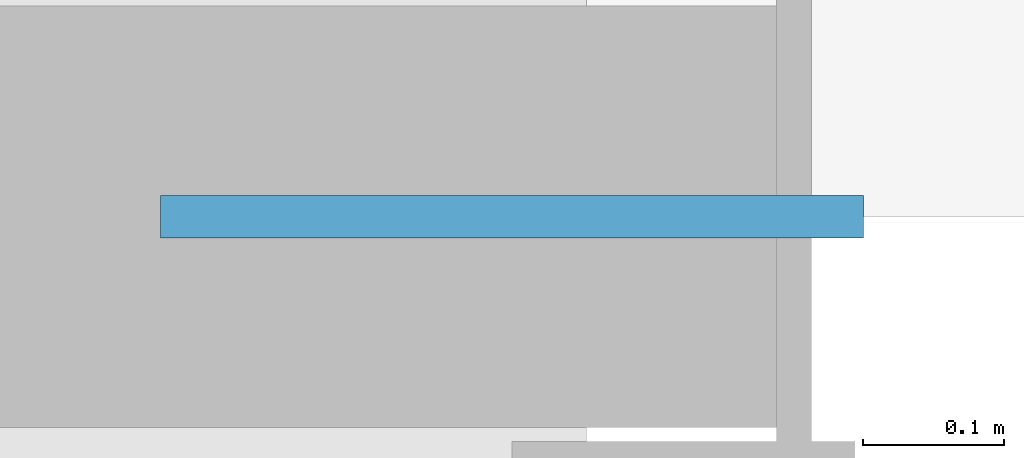
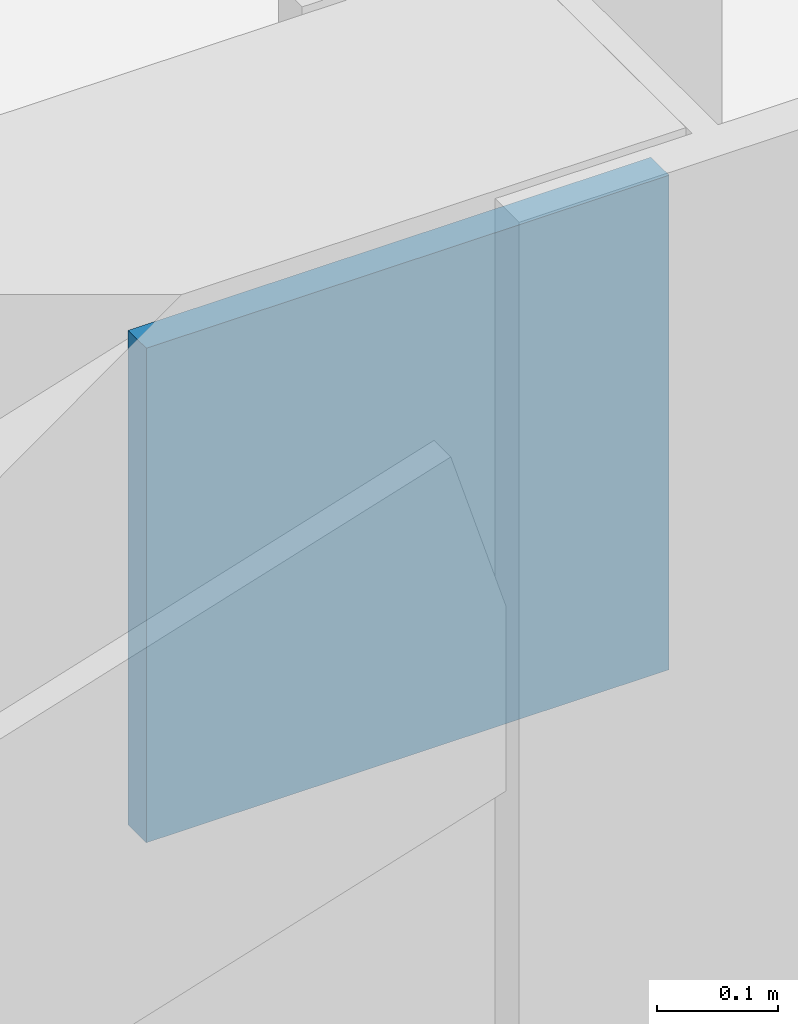
# One storey, part 21 of 30: 1 discrete accessory.
"""IFC4 building model written with IfcOpenShell, lengths in metres."""

import ifcopenshell
import ifcopenshell.guid

model = None  # the IFC model being written
_history = None  # IfcOwnerHistory: only IFC2X3 demands one
_inside = {}  # id of a spatial element -> (the spatial element, [elements in it])
_under = {}  # id of a project, library or spatial element -> (it, [spatial elements below it])
_declared = {}  # id of a project -> (the project, [libraries it declares])
_typed = {}  # id of a type object -> (the type object, [elements of that type])
_made_of = {}  # id of a material, layer set ... -> (it, [elements and type objects made of it])


def new_model(schema):
    """Start an empty IFC model of exactly this schema.

    Asked for "IFC4X3", IfcOpenShell would pick the latest addendum, in which some entities
    have other attributes; the version numbers below select the first issue.
    IFC2X3 requires an IfcOwnerHistory on every rooted entity: one is made here for all.
    """
    global model, _history
    if schema == "IFC4X3":
        model = ifcopenshell.file(schema_version=(4, 3, 0, 0))
    else:
        model = ifcopenshell.file(schema=schema)
    _inside.clear()
    _under.clear()
    _declared.clear()
    _typed.clear()
    _made_of.clear()
    _history = None
    if model.schema == "IFC2X3":
        org = make("IfcOrganization", Name="unknown")
        user = make(
            "IfcPersonAndOrganization",
            ThePerson=make("IfcPerson", FamilyName="unknown"),
            TheOrganization=org,
        )
        app = make(
            "IfcApplication",
            ApplicationDeveloper=org,
            Version="unknown",
            ApplicationFullName="unknown",
            ApplicationIdentifier="unknown",
        )
        _history = make(
            "IfcOwnerHistory",
            OwningUser=user,
            OwningApplication=app,
            ChangeAction="ADDED",
            CreationDate=0,
        )
    return model


def make(cls, **values):
    """One entity of the class cls with the attributes given. An attribute that is None is left unset."""
    return model.create_entity(
        cls, **{name: value for name, value in values.items() if value is not None}
    )


def rooted(cls, **values):
    """An entity with a GlobalId (a new one), such as an element, a storey or a relation."""
    return make(cls, GlobalId=ifcopenshell.guid.new(), OwnerHistory=_history, **values)


def si_unit(unit_type, name, prefix=None):
    """IfcSIUnit, for example si_unit("LENGTHUNIT", "METRE", prefix="MILLI")."""
    return make("IfcSIUnit", UnitType=unit_type, Prefix=prefix, Name=name)


def assignment(units):
    """IfcUnitAssignment: the units of a project."""
    return None if units is None else make("IfcUnitAssignment", Units=units)


def point(xyz):
    """IfcCartesianPoint."""
    return None if xyz is None else make("IfcCartesianPoint", Coordinates=xyz)


def direction(xyz):
    """IfcDirection."""
    return None if xyz is None else make("IfcDirection", DirectionRatios=xyz)


def frame(location, z_axis=None, x_axis=None):
    """IfcAxis2Placement3D, a coordinate frame: its origin and axes. An axis left out is left unset."""
    return make(
        "IfcAxis2Placement3D",
        Location=point(location),
        Axis=direction(z_axis),
        RefDirection=direction(x_axis),
    )


def frame_2d(location, x_axis=None):
    """IfcAxis2Placement2D, a coordinate frame in the plane: its origin and x axis."""
    return make(
        "IfcAxis2Placement2D", Location=point(location), RefDirection=direction(x_axis)
    )


def origin():
    """The frame at (0, 0, 0) with its axes left unset."""
    return frame((0.0, 0.0, 0.0))


def origin_2d():
    """The frame at (0, 0) in the plane with its x axis left unset."""
    return frame_2d((0.0, 0.0))


def place(relative_to, where):
    """IfcLocalPlacement: puts the frame where relative to a parent placement (None: the world)."""
    return make(
        "IfcLocalPlacement", PlacementRelTo=relative_to, RelativePlacement=where
    )


def context(
    kind, dimensions, precision=None, world=None, true_north=None, identifier=None
):
    """IfcGeometricRepresentationContext, for example the 3D "Model" context."""
    return make(
        "IfcGeometricRepresentationContext",
        ContextIdentifier=identifier,
        ContextType=kind,
        CoordinateSpaceDimension=dimensions,
        Precision=precision,
        WorldCoordinateSystem=world,
        TrueNorth=true_north,
    )


def subcontext(parent, identifier, kind, view, scale=None):
    """IfcGeometricRepresentationSubContext, for example "Body" below "Model"."""
    return make(
        "IfcGeometricRepresentationSubContext",
        ContextIdentifier=identifier,
        ContextType=kind,
        ParentContext=parent,
        TargetScale=scale,
        TargetView=view,
    )


def project(units=None, contexts=None):
    """IfcProject with its units and contexts."""
    return rooted(
        "IfcProject",
        Name="project",
        RepresentationContexts=contexts,
        UnitsInContext=assignment(units),
    )


def spatial(cls, under=None, at=None, **own):
    """A site, building, storey or space (cls), placed at a placement, below another one or the project."""
    s = rooted(cls, ObjectPlacement=at, **own)
    if under is not None:
        _under.setdefault(under.id(), (under, []))[1].append(s)
    return s


def profile(cls, at=None, kind="AREA", **sizes):
    """A parametric profile (cls). Its sizes go by their IFC names, for example OverallWidth=200.0."""
    return make(cls, ProfileType=kind, Position=at, **sizes)


def rectangle(**sizes):
    """IfcRectangleProfileDef."""
    return profile("IfcRectangleProfileDef", **sizes)


def extrude(swept, where, along, depth):
    """IfcExtrudedAreaSolid: the profile swept, set in the frame where, extruded along a direction by depth."""
    return make(
        "IfcExtrudedAreaSolid",
        SweptArea=swept,
        Position=where,
        ExtrudedDirection=direction(along),
        Depth=depth,
    )


def shape(context_of_items, identifier, shape_type, items):
    """IfcShapeRepresentation: the items that make up one representation, for example the "Body"."""
    return make(
        "IfcShapeRepresentation",
        ContextOfItems=context_of_items,
        RepresentationIdentifier=identifier,
        RepresentationType=shape_type,
        Items=items,
    )


def material(Name=None, Category=None):
    """IfcMaterial."""
    return make("IfcMaterial", Name=Name, Category=Category)


def layer(
    of_material, thickness, ventilated=None, Name=None, Category=None, Priority=None
):
    """IfcMaterialLayer: one layer of a wall or slab, of a material (None: an air gap)."""
    return make(
        "IfcMaterialLayer",
        Material=of_material,
        LayerThickness=thickness,
        IsVentilated=ventilated,
        Name=Name,
        Category=Category,
        Priority=Priority,
    )


def layer_set(layers, Name=None):
    """IfcMaterialLayerSet."""
    return make("IfcMaterialLayerSet", MaterialLayers=layers, LayerSetName=Name)


def made_of(thing, what):
    """Note that an element or type object is made of a material, layer set ...; save() writes the relation."""
    if what is not None:
        _made_of.setdefault(what.id(), (what, []))[1].append(thing)
    return thing


def type_object(cls, material=None, **own):
    """A type object (cls), such as IfcWallType, which elements share."""
    return made_of(rooted(cls, **own), material)


def element(
    cls,
    number,
    at=None,
    inside=None,
    cuts=None,
    type_object=None,
    material=None,
    context=None,
    identifier="Body",
    shape_type=None,
    held_by="IfcProductDefinitionShape",
    body=None,
    shapes=None,
    **own,
):
    """One element of the class cls, such as IfcWall. Its Tag is "e" and its number.

    at: its placement. inside: the storey or other place that contains it. cuts: it is an
    opening in that element (IfcRelVoidsElement). A single representation is given by context,
    identifier, shape_type and body (its items); several are given by shapes. held_by: the class
    of the entity that holds the representations. save() writes the other relations.
    """
    e = rooted(cls, Tag="e%d" % number, ObjectPlacement=at, **own)
    if body is not None:
        shapes = [shape(context, identifier, shape_type, body)]
    if shapes is not None:
        e.Representation = make(held_by, Representations=shapes)
    if inside is not None:
        _inside.setdefault(inside.id(), (inside, []))[1].append(e)
    if cuts is not None:
        rooted(
            "IfcRelVoidsElement", RelatingBuildingElement=cuts, RelatedOpeningElement=e
        )
    if type_object is not None:
        _typed.setdefault(type_object.id(), (type_object, []))[1].append(e)
    return made_of(e, material)


def aggregate(whole, parts):
    """IfcRelAggregates: a whole, such as a stair, and the parts it consists of."""
    return rooted("IfcRelAggregates", RelatingObject=whole, RelatedObjects=parts)


def save(model, path):
    """Write the relations noted so far, then the file.

    IfcRelAggregates (storeys below a building ...), IfcRelContainedInSpatialStructure (elements
    in a storey), IfcRelDefinesByType, IfcRelAssociatesMaterial and IfcRelDeclares: one each for
    every whole, place, type object, material and project.
    """
    for whole, parts in _under.values():
        aggregate(whole, parts)
    for where, things in _inside.values():
        rooted(
            "IfcRelContainedInSpatialStructure",
            RelatedElements=things,
            RelatingStructure=where,
        )
    for kind, things in _typed.values():
        rooted("IfcRelDefinesByType", RelatedObjects=things, RelatingType=kind)
    for what, things in _made_of.values():
        rooted("IfcRelAssociatesMaterial", RelatedObjects=things, RelatingMaterial=what)
    for by, libraries in _declared.values():
        rooted("IfcRelDeclares", RelatingContext=by, RelatedDefinitions=libraries)
    model.write(path)


model = new_model("IFC4")

# Units and contexts
model_context = context("Model", 3, precision=1e-05, world=origin(), true_north=direction((0.0, 1.0)))
body_context = subcontext(model_context, "Body", "Model", "MODEL_VIEW")
ifc_project = project(units=[si_unit("LENGTHUNIT", "METRE"), si_unit("AREAUNIT", "SQUARE_METRE"), si_unit("VOLUMEUNIT", "CUBIC_METRE"), si_unit("PLANEANGLEUNIT", "RADIAN"), si_unit("MASSUNIT", "GRAM", prefix="KILO")], contexts=[model_context])

# Site, building, storey
site_placement = place(None, origin())
site = spatial("IfcSite", under=ifc_project, at=site_placement, CompositionType="ELEMENT")
building_placement = place(site_placement, origin())
building = spatial("IfcBuilding", under=site, at=building_placement, Name="Mahtab Terrace Research Tower", CompositionType="ELEMENT")
storey_placement = place(building_placement, frame((0.0, 0.0, 220.5)))
storey = spatial("IfcBuildingStorey", under=building, at=storey_placement, Name="L53", CompositionType="ELEMENT", Elevation=220.5)

# Discrete accessory
ifc_material = material(Name="Steel ASTM A992 Gr 50", Category="steel")
ifc_layer = layer(ifc_material, 0.030029296875)
ifc_layer_set = layer_set([ifc_layer], Name="Gusset plate 500x500x30")
discrete_accessory_type = type_object("IfcDiscreteAccessoryType", Name="Gusset plate 500x500x30", PredefinedType="USERDEFINED", material=ifc_layer_set)
discrete_accessory_placement = place(storey_placement, frame((17.79931640625, -23.0, 2.748291015625), z_axis=(0.0, 0.0, 1.0), x_axis=(1.0, 0.0, 0.0)))
element("IfcDiscreteAccessory", 1, at=discrete_accessory_placement, inside=storey, type_object=discrete_accessory_type, Name="Gusset plate", ObjectType="GUSSET PLATE", PredefinedType="USERDEFINED", context=body_context, shape_type="SweptSolid", body=[
    extrude(rectangle(XDim=0.5, YDim=0.030029296875, at=origin_2d()), origin(), (0.0, 0.0, 1.0), 0.5),
])

save(model, "model.ifc")
